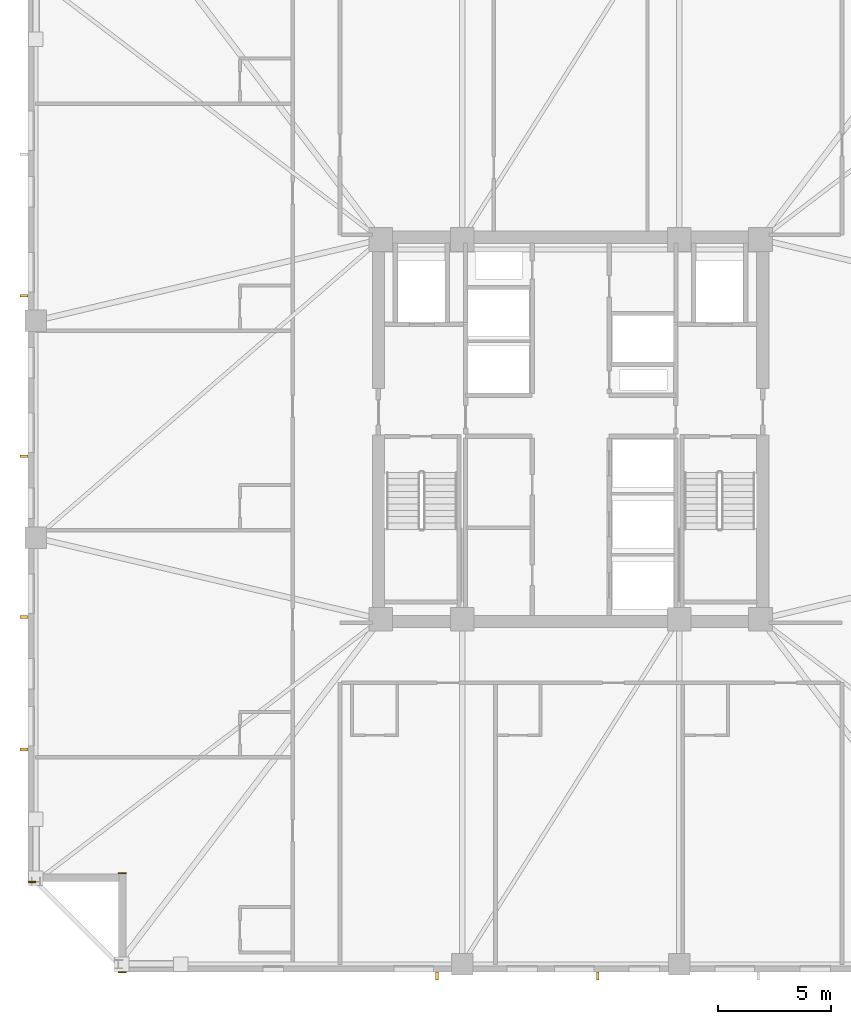
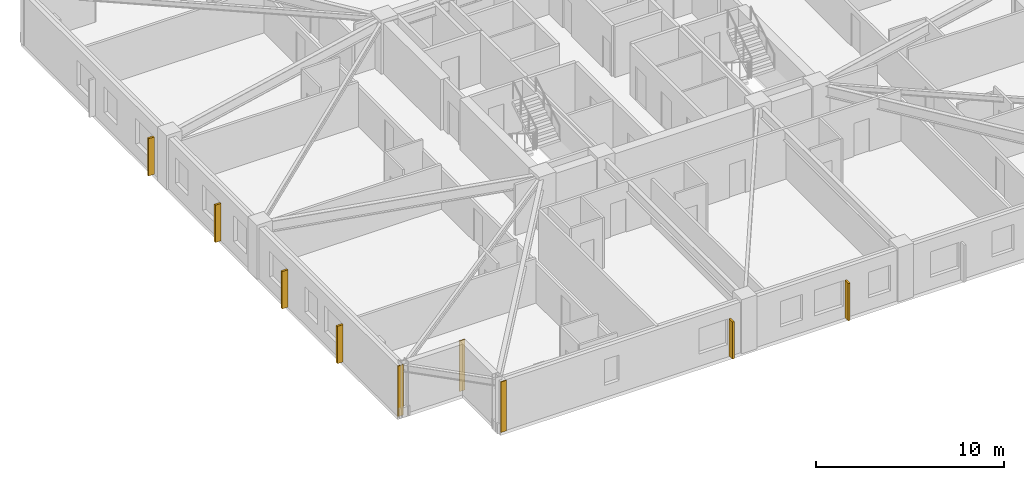
# One storey, part 7 of 11: 6 shading devices, 3 coverings.
"""IFC4 building model written with IfcOpenShell, lengths in metres."""

from ifc_helpers import new_model, si_unit, direction, frame, frame_2d, origin, origin_2d, place, context, subcontext, project, spatial, rectangle, extrude, material, layer, layer_set, type_object, element, save


model = new_model("IFC4")

# Units and contexts
model_context = context("Model", 3, precision=1e-05, world=origin(), true_north=direction((0.0, 1.0)))
body_context = subcontext(model_context, "Body", "Model", "MODEL_VIEW")
ifc_project = project(units=[si_unit("LENGTHUNIT", "METRE"), si_unit("AREAUNIT", "SQUARE_METRE"), si_unit("VOLUMEUNIT", "CUBIC_METRE"), si_unit("PLANEANGLEUNIT", "RADIAN"), si_unit("MASSUNIT", "GRAM", prefix="KILO")], contexts=[model_context])

# Site, building, storey
site_placement = place(None, origin())
site = spatial("IfcSite", under=ifc_project, at=site_placement, CompositionType="ELEMENT")
building_placement = place(site_placement, origin())
building = spatial("IfcBuilding", under=site, at=building_placement, Name="Cairnveth Concourse Tower", CompositionType="ELEMENT")
storey_placement = place(building_placement, frame((0.0, 0.0, 172.5)))
storey = spatial("IfcBuildingStorey", under=building, at=storey_placement, Name="L47", CompositionType="ELEMENT", Elevation=172.5)

# Coverings
ifc_material_1 = material(Name="Dressed Melbourne Bluestone Cladding", Category="masonry")
ifc_layer = layer(ifc_material_1, 0.050048828125)
ifc_layer_set = layer_set([ifc_layer], Name="Dressed Melbourne Bluestone Cladding")
covering_type = type_object("IfcCoveringType", Name="DRESSED BLUESTONE PLINTH CLADDING 50", PredefinedType="CLADDING", material=ifc_layer_set)
for number, where, z_axis, x_axis, name in (
    (1, (32.340087890625, 14.97998046875, 0.0), (0.0, 0.0, 1.0), (-1.0, 0.0, 0.0), "Melbourne Bluestone Corner Quoin L47-695"),
    (2, (32.340087890625, 19.360107421875, 0.0), (0.0, 0.0, 1.0), (-1.0, 0.0, 0.0), "Melbourne Bluestone Corner Quoin L47-696"),
    (3, (28.340087890625, 18.97998046875, 0.0), (0.0, 0.0, 1.0), (-1.0, 0.0, 0.0), "Melbourne Bluestone Corner Quoin L47-697"),
):
    element("IfcCovering", number, at=place(storey_placement, frame(where, z_axis=z_axis, x_axis=x_axis)), inside=storey, type_object=covering_type, Name=name, PredefinedType="CLADDING", context=body_context, shape_type="SweptSolid", body=[
        extrude(rectangle(XDim=0.340087890625, YDim=0.050048828125, at=frame_2d((0.169921875, 0.0))), origin(), (0.0, 0.0, 1.0), 3.280029296875),
    ])

# Shading devices
ifc_material_2 = material(Name="Architectural Bronze Anodised Aluminium 6063-T6", Category="aluminium")
shading_device_type = type_object("IfcShadingDeviceType", Name="GOTHIC BRONZE VERTICAL LANCET FIN", PredefinedType="USERDEFINED", material=ifc_material_2)
for number, where, z_axis, x_axis, name in (
    (4, (53.194091796875, 14.824951171875, 0.030029296875), (0.0, 0.0, 1.0), (1.0, 0.0, 0.0), "Gothic Bronze Vertical Fin L47-3-5"),
    (5, (46.0869140625, 14.824951171875, 0.030029296875), (0.0, 0.0, 1.0), (1.0, 0.0, 0.0), "Gothic Bronze Vertical Fin L47-3-7"),
    (6, (27.824951171875, 24.841796875, 0.030029296875), (0.0, 0.0, 1.0), (0.0, 1.0, 0.0), "Gothic Bronze Vertical Fin L47-6-1"),
    (7, (27.824951171875, 30.698974609375, 0.030029296875), (0.0, 0.0, 1.0), (0.0, 1.0, 0.0), "Gothic Bronze Vertical Fin L47-6-3"),
    (8, (27.824951171875, 37.805908203125, 0.030029296875), (0.0, 0.0, 1.0), (0.0, 1.0, 0.0), "Gothic Bronze Vertical Fin L47-6-5"),
    (9, (27.824951171875, 44.9130859375, 0.030029296875), (0.0, 0.0, 1.0), (0.0, 1.0, 0.0), "Gothic Bronze Vertical Fin L47-6-7"),
):
    element("IfcShadingDevice", number, at=place(storey_placement, frame(where, z_axis=z_axis, x_axis=x_axis)), inside=storey, type_object=shading_device_type, Name=name, ObjectType="VERTICAL FIN", PredefinedType="USERDEFINED", context=body_context, shape_type="SweptSolid", body=[
        extrude(rectangle(XDim=0.1201171875, YDim=0.360107421875, at=origin_2d()), origin(), (0.0, 0.0, 1.0), 2.419921875),
    ])

save(model, "model.ifc")
